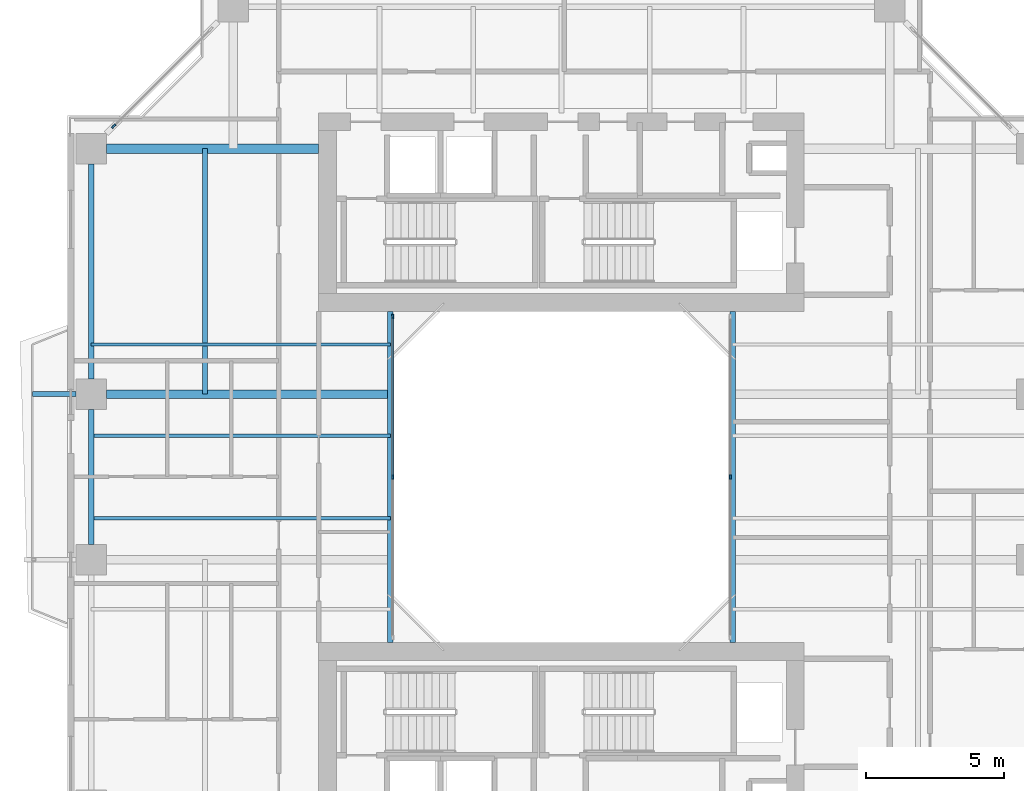
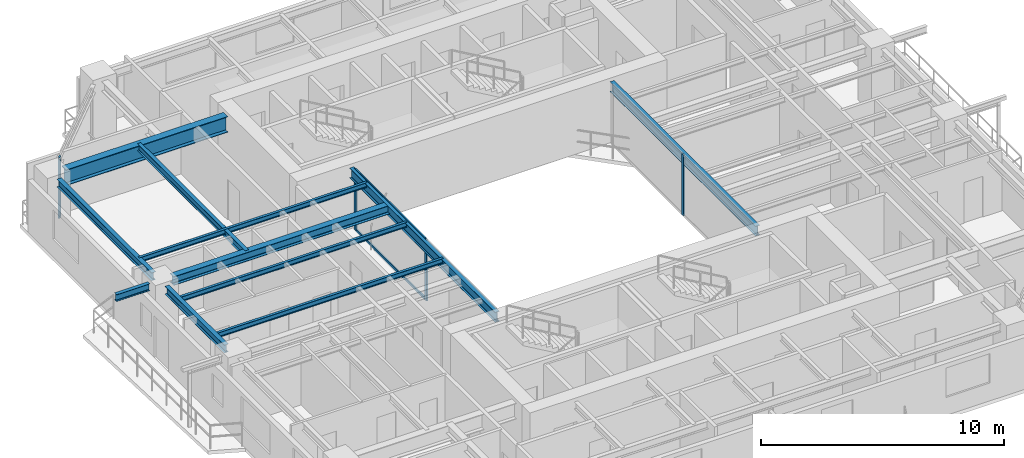
# One storey, part 5 of 24: 11 beams, 6 members, 3 elements without a shape of their own.
"""IFC4 building model written with IfcOpenShell, lengths in metres."""

import ifcopenshell
import ifcopenshell.guid

model = None  # the IFC model being written
_history = None  # IfcOwnerHistory: only IFC2X3 demands one
_inside = {}  # id of a spatial element -> (the spatial element, [elements in it])
_under = {}  # id of a project, library or spatial element -> (it, [spatial elements below it])
_declared = {}  # id of a project -> (the project, [libraries it declares])
_typed = {}  # id of a type object -> (the type object, [elements of that type])
_made_of = {}  # id of a material, layer set ... -> (it, [elements and type objects made of it])


def new_model(schema):
    """Start an empty IFC model of exactly this schema.

    Asked for "IFC4X3", IfcOpenShell would pick the latest addendum, in which some entities
    have other attributes; the version numbers below select the first issue.
    IFC2X3 requires an IfcOwnerHistory on every rooted entity: one is made here for all.
    """
    global model, _history
    if schema == "IFC4X3":
        model = ifcopenshell.file(schema_version=(4, 3, 0, 0))
    else:
        model = ifcopenshell.file(schema=schema)
    _inside.clear()
    _under.clear()
    _declared.clear()
    _typed.clear()
    _made_of.clear()
    _history = None
    if model.schema == "IFC2X3":
        org = make("IfcOrganization", Name="unknown")
        user = make(
            "IfcPersonAndOrganization",
            ThePerson=make("IfcPerson", FamilyName="unknown"),
            TheOrganization=org,
        )
        app = make(
            "IfcApplication",
            ApplicationDeveloper=org,
            Version="unknown",
            ApplicationFullName="unknown",
            ApplicationIdentifier="unknown",
        )
        _history = make(
            "IfcOwnerHistory",
            OwningUser=user,
            OwningApplication=app,
            ChangeAction="ADDED",
            CreationDate=0,
        )
    return model


def make(cls, **values):
    """One entity of the class cls with the attributes given. An attribute that is None is left unset."""
    return model.create_entity(
        cls, **{name: value for name, value in values.items() if value is not None}
    )


def rooted(cls, **values):
    """An entity with a GlobalId (a new one), such as an element, a storey or a relation."""
    return make(cls, GlobalId=ifcopenshell.guid.new(), OwnerHistory=_history, **values)


def si_unit(unit_type, name, prefix=None):
    """IfcSIUnit, for example si_unit("LENGTHUNIT", "METRE", prefix="MILLI")."""
    return make("IfcSIUnit", UnitType=unit_type, Prefix=prefix, Name=name)


def assignment(units):
    """IfcUnitAssignment: the units of a project."""
    return None if units is None else make("IfcUnitAssignment", Units=units)


def point(xyz):
    """IfcCartesianPoint."""
    return None if xyz is None else make("IfcCartesianPoint", Coordinates=xyz)


def direction(xyz):
    """IfcDirection."""
    return None if xyz is None else make("IfcDirection", DirectionRatios=xyz)


def frame(location, z_axis=None, x_axis=None):
    """IfcAxis2Placement3D, a coordinate frame: its origin and axes. An axis left out is left unset."""
    return make(
        "IfcAxis2Placement3D",
        Location=point(location),
        Axis=direction(z_axis),
        RefDirection=direction(x_axis),
    )


def frame_2d(location, x_axis=None):
    """IfcAxis2Placement2D, a coordinate frame in the plane: its origin and x axis."""
    return make(
        "IfcAxis2Placement2D", Location=point(location), RefDirection=direction(x_axis)
    )


def origin():
    """The frame at (0, 0, 0) with its axes left unset."""
    return frame((0.0, 0.0, 0.0))


def origin_2d():
    """The frame at (0, 0) in the plane with its x axis left unset."""
    return frame_2d((0.0, 0.0))


def place(relative_to, where):
    """IfcLocalPlacement: puts the frame where relative to a parent placement (None: the world)."""
    return make(
        "IfcLocalPlacement", PlacementRelTo=relative_to, RelativePlacement=where
    )


def context(
    kind, dimensions, precision=None, world=None, true_north=None, identifier=None
):
    """IfcGeometricRepresentationContext, for example the 3D "Model" context."""
    return make(
        "IfcGeometricRepresentationContext",
        ContextIdentifier=identifier,
        ContextType=kind,
        CoordinateSpaceDimension=dimensions,
        Precision=precision,
        WorldCoordinateSystem=world,
        TrueNorth=true_north,
    )


def subcontext(parent, identifier, kind, view, scale=None):
    """IfcGeometricRepresentationSubContext, for example "Body" below "Model"."""
    return make(
        "IfcGeometricRepresentationSubContext",
        ContextIdentifier=identifier,
        ContextType=kind,
        ParentContext=parent,
        TargetScale=scale,
        TargetView=view,
    )


def project(units=None, contexts=None):
    """IfcProject with its units and contexts."""
    return rooted(
        "IfcProject",
        Name="project",
        RepresentationContexts=contexts,
        UnitsInContext=assignment(units),
    )


def spatial(cls, under=None, at=None, **own):
    """A site, building, storey or space (cls), placed at a placement, below another one or the project."""
    s = rooted(cls, ObjectPlacement=at, **own)
    if under is not None:
        _under.setdefault(under.id(), (under, []))[1].append(s)
    return s


def profile(cls, at=None, kind="AREA", **sizes):
    """A parametric profile (cls). Its sizes go by their IFC names, for example OverallWidth=200.0."""
    return make(cls, ProfileType=kind, Position=at, **sizes)


def rectangle(**sizes):
    """IfcRectangleProfileDef."""
    return profile("IfcRectangleProfileDef", **sizes)


def i_section(**sizes):
    """IfcIShapeProfileDef."""
    return profile("IfcIShapeProfileDef", **sizes)


def extrude(swept, where, along, depth):
    """IfcExtrudedAreaSolid: the profile swept, set in the frame where, extruded along a direction by depth."""
    return make(
        "IfcExtrudedAreaSolid",
        SweptArea=swept,
        Position=where,
        ExtrudedDirection=direction(along),
        Depth=depth,
    )


def shape(context_of_items, identifier, shape_type, items):
    """IfcShapeRepresentation: the items that make up one representation, for example the "Body"."""
    return make(
        "IfcShapeRepresentation",
        ContextOfItems=context_of_items,
        RepresentationIdentifier=identifier,
        RepresentationType=shape_type,
        Items=items,
    )


def source(mapping_origin, context_of_items, identifier, shape_type, items):
    """IfcRepresentationMap: a shape defined once, which mapped items show again and again."""
    return make(
        "IfcRepresentationMap",
        MappingOrigin=mapping_origin,
        MappedRepresentation=shape(context_of_items, identifier, shape_type, items),
    )


def transform(
    local_origin,
    x_axis=None,
    y_axis=None,
    z_axis=None,
    scale=None,
    scale2=None,
    scale3=None,
    uniform=True,
):
    """IfcCartesianTransformationOperator3D, or its non-uniform kind. x_axis, y_axis, z_axis: its Axis1, 2, 3."""
    if uniform:
        return make(
            "IfcCartesianTransformationOperator3D",
            Axis1=direction(x_axis),
            Axis2=direction(y_axis),
            LocalOrigin=point(local_origin),
            Scale=scale,
            Axis3=direction(z_axis),
        )
    return make(
        "IfcCartesianTransformationOperator3DnonUniform",
        Axis1=direction(x_axis),
        Axis2=direction(y_axis),
        LocalOrigin=point(local_origin),
        Scale=scale,
        Axis3=direction(z_axis),
        Scale2=scale2,
        Scale3=scale3,
    )


def mapped(mapping_source, mapping_target):
    """IfcMappedItem: shows the shape of a source again, moved by a transform."""
    return make(
        "IfcMappedItem", MappingSource=mapping_source, MappingTarget=mapping_target
    )


def material(Name=None, Category=None):
    """IfcMaterial."""
    return make("IfcMaterial", Name=Name, Category=Category)


def layer(
    of_material, thickness, ventilated=None, Name=None, Category=None, Priority=None
):
    """IfcMaterialLayer: one layer of a wall or slab, of a material (None: an air gap)."""
    return make(
        "IfcMaterialLayer",
        Material=of_material,
        LayerThickness=thickness,
        IsVentilated=ventilated,
        Name=Name,
        Category=Category,
        Priority=Priority,
    )


def layer_set(layers, Name=None):
    """IfcMaterialLayerSet."""
    return make("IfcMaterialLayerSet", MaterialLayers=layers, LayerSetName=Name)


def material_profile(
    of_material, cross_section, Name=None, Category=None, Priority=None
):
    """IfcMaterialProfile: a cross section and its material."""
    return make(
        "IfcMaterialProfile",
        Name=Name,
        Material=of_material,
        Profile=cross_section,
        Priority=Priority,
        Category=Category,
    )


def profile_set(profiles, Name=None, composite=None):
    """IfcMaterialProfileSet."""
    return make(
        "IfcMaterialProfileSet",
        Name=Name,
        MaterialProfiles=profiles,
        CompositeProfile=composite,
    )


def made_of(thing, what):
    """Note that an element or type object is made of a material, layer set ...; save() writes the relation."""
    if what is not None:
        _made_of.setdefault(what.id(), (what, []))[1].append(thing)
    return thing


def type_object(cls, material=None, **own):
    """A type object (cls), such as IfcWallType, which elements share."""
    return made_of(rooted(cls, **own), material)


def element(
    cls,
    number,
    at=None,
    inside=None,
    cuts=None,
    type_object=None,
    material=None,
    context=None,
    identifier="Body",
    shape_type=None,
    held_by="IfcProductDefinitionShape",
    body=None,
    shapes=None,
    **own,
):
    """One element of the class cls, such as IfcWall. Its Tag is "e" and its number.

    at: its placement. inside: the storey or other place that contains it. cuts: it is an
    opening in that element (IfcRelVoidsElement). A single representation is given by context,
    identifier, shape_type and body (its items); several are given by shapes. held_by: the class
    of the entity that holds the representations. save() writes the other relations.
    """
    e = rooted(cls, Tag="e%d" % number, ObjectPlacement=at, **own)
    if body is not None:
        shapes = [shape(context, identifier, shape_type, body)]
    if shapes is not None:
        e.Representation = make(held_by, Representations=shapes)
    if inside is not None:
        _inside.setdefault(inside.id(), (inside, []))[1].append(e)
    if cuts is not None:
        rooted(
            "IfcRelVoidsElement", RelatingBuildingElement=cuts, RelatedOpeningElement=e
        )
    if type_object is not None:
        _typed.setdefault(type_object.id(), (type_object, []))[1].append(e)
    return made_of(e, material)


def aggregate(whole, parts):
    """IfcRelAggregates: a whole, such as a stair, and the parts it consists of."""
    return rooted("IfcRelAggregates", RelatingObject=whole, RelatedObjects=parts)


def save(model, path):
    """Write the relations noted so far, then the file.

    IfcRelAggregates (storeys below a building ...), IfcRelContainedInSpatialStructure (elements
    in a storey), IfcRelDefinesByType, IfcRelAssociatesMaterial and IfcRelDeclares: one each for
    every whole, place, type object, material and project.
    """
    for whole, parts in _under.values():
        aggregate(whole, parts)
    for where, things in _inside.values():
        rooted(
            "IfcRelContainedInSpatialStructure",
            RelatedElements=things,
            RelatingStructure=where,
        )
    for kind, things in _typed.values():
        rooted("IfcRelDefinesByType", RelatedObjects=things, RelatingType=kind)
    for what, things in _made_of.values():
        rooted("IfcRelAssociatesMaterial", RelatedObjects=things, RelatingMaterial=what)
    for by, libraries in _declared.values():
        rooted("IfcRelDeclares", RelatingContext=by, RelatedDefinitions=libraries)
    model.write(path)


model = new_model("IFC4")

# Units and contexts
model_context = context("Model", 3, precision=1e-05, world=origin(), true_north=direction((0.0, 1.0)))
body_context = subcontext(model_context, "Body", "Model", "MODEL_VIEW")
ifc_project = project(units=[si_unit("LENGTHUNIT", "METRE"), si_unit("AREAUNIT", "SQUARE_METRE"), si_unit("VOLUMEUNIT", "CUBIC_METRE"), si_unit("PLANEANGLEUNIT", "RADIAN"), si_unit("MASSUNIT", "GRAM", prefix="KILO"), si_unit("THERMODYNAMICTEMPERATUREUNIT", "KELVIN"), si_unit("POWERUNIT", "WATT")], contexts=[model_context])

# Site, building, storey
site_placement = place(None, origin())
site = spatial("IfcSite", under=ifc_project, at=site_placement, CompositionType="ELEMENT")
building_placement = place(site_placement, origin())
building = spatial("IfcBuilding", under=site, at=building_placement, Name="Qiaomeng Ring Towers", CompositionType="ELEMENT")
storey_placement = place(building_placement, frame((0.0, 0.0, 106.75)))
storey = spatial("IfcBuildingStorey", under=building, at=storey_placement, Name="L30", CompositionType="ELEMENT", Elevation=106.75)

# Beams
ifc_material_1 = material(Name="Steel Q355B", Category="steel")
ifc_material_profile_1 = material_profile(ifc_material_1, i_section(OverallWidth=0.199951171875, OverallDepth=0.5, WebThickness=0.010009765625, FlangeThickness=0.01611328125, FilletRadius=0.02001953125, at=origin_2d()), Name="HN 500x200x10x16")
ifc_profile_set_1 = profile_set([ifc_material_profile_1], Name="Steel Q355B")
beam_type_1 = type_object("IfcBeamType", Name="STR-BM-HN500", PredefinedType="BEAM", material=ifc_profile_set_1)
shared_shape_1 = source(origin(), body_context, "Body", "SweptSolid", [
    extrude(i_section(OverallWidth=0.199951171875, OverallDepth=0.5, WebThickness=0.010009765625, FlangeThickness=0.01611328125, FilletRadius=0.02001953125, at=origin_2d()), origin(), (0.0, 0.0, 1.0), 12.0),
])
for number, where, z_axis, x_axis, name in (
    (1, (12.800048828125, 17.0, 2.820068359375), (0.0, 1.0, 0.0), (-1.0, 0.0, 0.0), "L30 beam STR-BM-L30-WELL-W"),
    (2, (25.199951171875, 17.0, 2.820068359375), (0.0, 1.0, 0.0), (-1.0, 0.0, 0.0), "L30 beam STR-BM-L30-WELL-E"),
):
    element("IfcBeam", number, at=place(storey_placement, frame(where, z_axis=z_axis, x_axis=x_axis)), inside=storey, type_object=beam_type_1, Name=name, PredefinedType="BEAM", context=body_context, shape_type="MappedRepresentation", body=[
        mapped(shared_shape_1, transform((0.0, 0.0, 0.0), x_axis=(1.0, 0.0, 0.0), y_axis=(0.0, 1.0, 0.0), z_axis=(0.0, 0.0, 1.0), scale=1.0)),
    ])
ifc_material_profile_2 = material_profile(ifc_material_1, i_section(OverallWidth=0.199951171875, OverallDepth=0.39990234375, WebThickness=0.008056640625, FlangeThickness=0.012939453125, FilletRadius=0.01611328125, at=origin_2d()), Name="HN 400x200x8x13")
ifc_profile_set_2 = profile_set([ifc_material_profile_2], Name="Steel Q355B")
beam_type_2 = type_object("IfcBeamType", Name="STR-BM-HN400", PredefinedType="SPANDREL", material=ifc_profile_set_2)
shared_shape_2 = source(origin(), body_context, "Body", "SweptSolid", [
    extrude(i_section(OverallWidth=0.199951171875, OverallDepth=0.39990234375, WebThickness=0.008056640625, FlangeThickness=0.012939453125, FilletRadius=0.01611328125, at=origin_2d()), origin(), (0.0, 0.0, 1.0), 7.802001953125),
])
beam_1_placement = place(storey_placement, frame((1.949951171875, 34.35107421875, 2.8701171875), z_axis=(0.0, -1.0, 0.0), x_axis=(1.0, 0.0, 0.0)))
element("IfcBeam", 3, at=beam_1_placement, inside=storey, type_object=beam_type_2, Name="L30 beam STR-SP-L30-T1-W4-W3", PredefinedType="SPANDREL", context=body_context, shape_type="MappedRepresentation", body=[
    mapped(shared_shape_2, transform((0.0, 0.0, 0.0), x_axis=(1.0, 0.0, 0.0), y_axis=(0.0, 1.0, 0.0), z_axis=(0.0, 0.0, 1.0), scale=1.0)),
])
shared_shape_3 = source(origin(), body_context, "Body", "SweptSolid", [
    extrude(i_section(OverallWidth=0.199951171875, OverallDepth=0.39990234375, WebThickness=0.008056640625, FlangeThickness=0.012939453125, FilletRadius=0.01611328125, at=origin_2d()), origin(), (0.0, 0.0, 1.0), 4.90185546875),
])
beam_2_placement = place(storey_placement, frame((1.949951171875, 25.450927734375, 2.8701171875), z_axis=(0.0, -1.0, 0.0), x_axis=(1.0, 0.0, 0.0)))
element("IfcBeam", 4, at=beam_2_placement, inside=storey, type_object=beam_type_2, Name="L30 beam STR-SP-L30-T1-W3-W2", PredefinedType="SPANDREL", context=body_context, shape_type="MappedRepresentation", body=[
    mapped(shared_shape_3, transform((0.0, 0.0, 0.0), x_axis=(1.0, 0.0, 0.0), y_axis=(0.0, 1.0, 0.0), z_axis=(0.0, 0.0, 1.0), scale=1.0)),
])
ifc_material_2 = material(Name="Steel Q390GJC", Category="steel")
ifc_material_profile_3 = material_profile(ifc_material_2, i_section(OverallWidth=0.35009765625, OverallDepth=0.800048828125, WebThickness=0.01611328125, FlangeThickness=0.028076171875, at=origin_2d()), Name="WH 800x350x16x28")
ifc_profile_set_3 = profile_set([ifc_material_profile_3], Name="Steel Q390GJC")
beam_type_3 = type_object("IfcBeamType", Name="STR-BM-WH800", PredefinedType="BEAM", material=ifc_profile_set_3)
shared_shape_4 = source(origin(), body_context, "Body", "SweptSolid", [
    extrude(i_section(OverallWidth=0.35009765625, OverallDepth=0.800048828125, WebThickness=0.01611328125, FlangeThickness=0.028076171875, at=origin_2d()), origin(), (0.0, 0.0, 1.0), 7.700927734375),
])
beam_3_placement = place(storey_placement, frame((2.4990234375, 34.89990234375, 2.669921875), z_axis=(1.0, 0.0, 0.0), x_axis=(0.0, 1.0, 0.0)))
element("IfcBeam", 5, at=beam_3_placement, inside=storey, type_object=beam_type_3, Name="L30 beam STR-BM-L30-T1-RAD-W4", PredefinedType="BEAM", context=body_context, shape_type="MappedRepresentation", body=[
    mapped(shared_shape_4, transform((0.0, 0.0, 0.0), x_axis=(1.0, 0.0, 0.0), y_axis=(0.0, 1.0, 0.0), z_axis=(0.0, 0.0, 1.0), scale=1.0)),
])
ifc_material_profile_4 = material_profile(ifc_material_1, i_section(OverallWidth=0.300048828125, OverallDepth=0.43994140625, WebThickness=0.010986328125, FlangeThickness=0.01806640625, FilletRadius=0.02392578125, at=origin_2d()), Name="HM 440x300x11x18")
ifc_profile_set_4 = profile_set([ifc_material_profile_4], Name="Steel Q355B")
beam_type_4 = type_object("IfcBeamType", Name="STR-BM-HM440", PredefinedType="BEAM", material=ifc_profile_set_4)
shared_shape_5 = source(origin(), body_context, "Body", "SweptSolid", [
    extrude(i_section(OverallWidth=0.300048828125, OverallDepth=0.43994140625, WebThickness=0.010986328125, FlangeThickness=0.01806640625, FilletRadius=0.02392578125, at=origin_2d()), origin(), (0.0, 0.0, 1.0), 10.301025390625),
])
beam_4_placement = place(storey_placement, frame((2.4990234375, 26.0, 2.85009765625), z_axis=(1.0, 0.0, 0.0), x_axis=(0.0, 1.0, 0.0)))
element("IfcBeam", 6, at=beam_4_placement, inside=storey, type_object=beam_type_4, Name="L30 beam STR-BM-L30-T1-RAD-W3", PredefinedType="BEAM", context=body_context, shape_type="MappedRepresentation", body=[
    mapped(shared_shape_5, transform((0.0, 0.0, 0.0), x_axis=(1.0, 0.0, 0.0), y_axis=(0.0, 1.0, 0.0), z_axis=(0.0, 0.0, 1.0), scale=1.0)),
])
ifc_material_profile_5 = material_profile(ifc_material_1, i_section(OverallWidth=0.175048828125, OverallDepth=0.35009765625, WebThickness=0.007080078125, FlangeThickness=0.010986328125, FilletRadius=0.013916015625, at=origin_2d()), Name="HN 350x175x7x11")
ifc_profile_set_5 = profile_set([ifc_material_profile_5], Name="Steel Q355B")
beam_type_5 = type_object("IfcBeamType", Name="STR-BM-HN350", PredefinedType="JOIST", material=ifc_profile_set_5)
shared_shape_6 = source(origin(), body_context, "Body", "SweptSolid", [
    extrude(i_section(OverallWidth=0.175048828125, OverallDepth=0.35009765625, WebThickness=0.007080078125, FlangeThickness=0.010986328125, FilletRadius=0.013916015625, at=origin_2d()), origin(), (0.0, 0.0, 1.0), 1.580810546875),
])
beam_5_placement = place(storey_placement, frame((-0.179931640625, 26.0, 2.89501953125), z_axis=(1.0, 0.0, 0.0), x_axis=(0.0, 1.0, 0.0)))
element("IfcBeam", 7, at=beam_5_placement, inside=storey, type_object=beam_type_5, Name="L30 beam STR-BALBM-L30-W3", PredefinedType="JOIST", context=body_context, shape_type="MappedRepresentation", body=[
    mapped(shared_shape_6, transform((0.0, 0.0, 0.0), x_axis=(1.0, 0.0, 0.0), y_axis=(0.0, 1.0, 0.0), z_axis=(0.0, 0.0, 1.0), scale=1.0)),
])
ifc_material_profile_6 = material_profile(ifc_material_1, i_section(OverallWidth=0.125, OverallDepth=0.25, WebThickness=0.006103515625, FlangeThickness=0.009033203125, FilletRadius=0.011962890625, at=origin_2d()), Name="HN 250x125x6x9")
ifc_profile_set_6 = profile_set([ifc_material_profile_6], Name="Steel Q355B")
beam_type_6 = type_object("IfcBeamType", Name="STR-BM-HN250", PredefinedType="JOIST", material=ifc_profile_set_6)
shared_shape_7 = source(origin(), body_context, "Body", "SweptSolid", [
    extrude(i_section(OverallWidth=0.125, OverallDepth=0.25, WebThickness=0.006103515625, FlangeThickness=0.009033203125, FilletRadius=0.011962890625, at=origin_2d()), origin(), (0.0, 0.0, 1.0), 10.85009765625),
])
for number, where, z_axis, x_axis, name in (
    (8, (1.949951171875, 21.5, 2.945068359375), (1.0, 0.0, 0.0), (0.0, 1.0, 0.0), "L30 beam STR-JST-L30-T1W-2"),
    (9, (1.949951171875, 24.5, 2.945068359375), (1.0, 0.0, 0.0), (0.0, 1.0, 0.0), "L30 beam STR-JST-L30-T1W-3"),
    (10, (1.949951171875, 27.800048828125, 2.945068359375), (1.0, 0.0, 0.0), (0.0, 1.0, 0.0), "L30 beam STR-JST-L30-T1W-4"),
):
    element("IfcBeam", number, at=place(storey_placement, frame(where, z_axis=z_axis, x_axis=x_axis)), inside=storey, type_object=beam_type_6, Name=name, PredefinedType="JOIST", context=body_context, shape_type="MappedRepresentation", body=[
        mapped(shared_shape_7, transform((0.0, 0.0, 0.0), x_axis=(1.0, 0.0, 0.0), y_axis=(0.0, 1.0, 0.0), z_axis=(0.0, 0.0, 1.0), scale=1.0)),
    ])
shared_shape_8 = source(origin(), body_context, "Body", "SweptSolid", [
    extrude(i_section(OverallWidth=0.175048828125, OverallDepth=0.35009765625, WebThickness=0.007080078125, FlangeThickness=0.010986328125, FilletRadius=0.013916015625, at=origin_2d()), origin(), (0.0, 0.0, 1.0), 8.89990234375),
])
beam_6_placement = place(storey_placement, frame((6.074951171875, 26.0, 2.89501953125), z_axis=(0.0, 1.0, 0.0), x_axis=(-1.0, 0.0, 0.0)))
element("IfcBeam", 11, at=beam_6_placement, inside=storey, type_object=beam_type_5, Name="L30 beam STR-JST-L30-T1C-WN", PredefinedType="JOIST", context=body_context, shape_type="MappedRepresentation", body=[
    mapped(shared_shape_8, transform((0.0, 0.0, 0.0), x_axis=(1.0, 0.0, 0.0), y_axis=(0.0, 1.0, 0.0), z_axis=(0.0, 0.0, 1.0), scale=1.0)),
])

# Curtain wall, members
ifc_material_3 = material(Name="Fluorocarbon dark-grey aluminium", Category="aluminium")
ifc_layer_1 = layer(ifc_material_3, 0.139892578125, Name="Fluorocarbon dark-grey aluminium")
ifc_layer_set_1 = layer_set([ifc_layer_1], Name="Fluorocarbon dark-grey aluminium")
curtain_wall_type_1 = type_object("IfcCurtainWallType", Name="ARC-CW-4", PredefinedType="NOTDEFINED", material=ifc_layer_set_1)
curtain_wall_1_placement = place(storey_placement, origin())
curtain_wall_1 = element("IfcCurtainWall", 12, at=curtain_wall_1_placement, inside=storey, type_object=curtain_wall_type_1, Name="L30 Curtain Wall CW4", PredefinedType="NOTDEFINED")
ifc_material_profile_7 = material_profile(ifc_material_3, rectangle(XDim=0.06494140625, YDim=0.159912109375, at=origin_2d()), Name="ALU MULL 65x160")
ifc_profile_set_7 = profile_set([ifc_material_profile_7], Name="Fluorocarbon dark-grey aluminium")
member_type_1 = type_object("IfcMemberType", Name="ARC-CWM-140", PredefinedType="MULLION", material=ifc_profile_set_7)
shared_shape_9 = source(origin(), body_context, "Body", "SweptSolid", [
    extrude(rectangle(XDim=0.06494140625, YDim=0.159912109375, at=origin_2d()), origin(), (0.0, 0.0, 1.0), 3.070068359375),
])
member_1_placement = place(storey_placement, frame((12.8798828125, 23.0, 0.0), z_axis=(0.0, 0.0, 1.0), x_axis=(-1.0, 0.0, 0.0)))
member_1 = element("IfcMember", 13, at=member_1_placement, type_object=member_type_1, Name="CW4 mullion 2", PredefinedType="MULLION", context=body_context, shape_type="MappedRepresentation", body=[
    mapped(shared_shape_9, transform((0.0, 0.0, 0.0), x_axis=(1.0, 0.0, 0.0), y_axis=(0.0, 1.0, 0.0), z_axis=(0.0, 0.0, 1.0), scale=1.0)),
])
member_2_placement = place(storey_placement, frame((12.8798828125, 28.8173828125, 0.0), z_axis=(0.0, 0.0, 1.0), x_axis=(-1.0, 0.0, 0.0)))
member_2 = element("IfcMember", 14, at=member_2_placement, type_object=member_type_1, Name="CW4 mullion 3", PredefinedType="MULLION", context=body_context, shape_type="MappedRepresentation", body=[
    mapped(shared_shape_9, transform((0.0, 0.0, 0.0), x_axis=(1.0, 0.0, 0.0), y_axis=(0.0, 1.0, 0.0), z_axis=(0.0, 0.0, 1.0), scale=1.0)),
])

# Curtain wall, member
curtain_wall_2_placement = place(storey_placement, origin())
curtain_wall_2 = element("IfcCurtainWall", 15, at=curtain_wall_2_placement, inside=storey, type_object=curtain_wall_type_1, Name="L30 Curtain Wall CW4", PredefinedType="NOTDEFINED")
member_3_placement = place(storey_placement, frame((25.1201171875, 23.0, 0.0), z_axis=(0.0, 0.0, 1.0), x_axis=(-1.0, 0.0, 0.0)))
member_3 = element("IfcMember", 16, at=member_3_placement, type_object=member_type_1, Name="CW4 mullion 2", PredefinedType="MULLION", context=body_context, shape_type="MappedRepresentation", body=[
    mapped(shared_shape_9, transform((0.0, 0.0, 0.0), x_axis=(1.0, 0.0, 0.0), y_axis=(0.0, 1.0, 0.0), z_axis=(0.0, 0.0, 1.0), scale=1.0)),
])
aggregate(curtain_wall_2, [member_3])

# Member
ifc_material_profile_8 = material_profile(ifc_material_3, rectangle(XDim=0.06494140625, YDim=0.1298828125, at=origin_2d()), Name="ALU TRAN 65x130")
ifc_profile_set_8 = profile_set([ifc_material_profile_8], Name="Fluorocarbon dark-grey aluminium")
member_type_2 = type_object("IfcMemberType", Name="ARC-CWT-120", PredefinedType="USERDEFINED", material=ifc_profile_set_8)
shared_shape_10 = source(origin(), body_context, "Body", "SweptSolid", [
    extrude(rectangle(XDim=0.06494140625, YDim=0.1298828125, at=origin_2d()), origin(), (0.0, 0.0, 1.0), 5.75244140625),
])
member_4_placement = place(storey_placement, frame((12.8798828125, 23.032470703125, 0.032470703125), z_axis=(0.0, 1.0, 0.0), x_axis=(-1.0, 0.0, 0.0)))
member_4 = element("IfcMember", 17, at=member_4_placement, type_object=member_type_2, Name="CW4 transom 2.1", ObjectType="TRANSOM", PredefinedType="USERDEFINED", context=body_context, shape_type="MappedRepresentation", body=[
    mapped(shared_shape_10, transform((0.0, 0.0, 0.0), x_axis=(1.0, 0.0, 0.0), y_axis=(0.0, 1.0, 0.0), z_axis=(0.0, 0.0, 1.0), scale=1.0)),
])

member_5_placement = place(storey_placement, frame((12.8798828125, 23.032470703125, 3.03759765625), z_axis=(0.0, 1.0, 0.0), x_axis=(-1.0, 0.0, 0.0)))
member_5 = element("IfcMember", 18, at=member_5_placement, type_object=member_type_2, Name="CW4 transom 2.2", ObjectType="TRANSOM", PredefinedType="USERDEFINED", context=body_context, shape_type="MappedRepresentation", body=[
    mapped(shared_shape_10, transform((0.0, 0.0, 0.0), x_axis=(1.0, 0.0, 0.0), y_axis=(0.0, 1.0, 0.0), z_axis=(0.0, 0.0, 1.0), scale=1.0)),
])

aggregate(curtain_wall_1, [member_1, member_2, member_4, member_5])

# Curtain wall, member
ifc_layer_2 = layer(ifc_material_3, 0.14990234375, Name="Fluorocarbon dark-grey aluminium")
ifc_layer_set_2 = layer_set([ifc_layer_2], Name="Fluorocarbon dark-grey aluminium")
curtain_wall_type_2 = type_object("IfcCurtainWallType", Name="ARC-CW-3", PredefinedType="NOTDEFINED", material=ifc_layer_set_2)
curtain_wall_3_placement = place(storey_placement, origin())
curtain_wall_3 = element("IfcCurtainWall", 19, at=curtain_wall_3_placement, inside=storey, type_object=curtain_wall_type_2, Name="L30 Curtain Wall CW3", PredefinedType="NOTDEFINED")
ifc_material_profile_9 = material_profile(ifc_material_3, rectangle(XDim=0.070068359375, YDim=0.179931640625, at=origin_2d()), Name="ALU MULL 70x180")
ifc_profile_set_9 = profile_set([ifc_material_profile_9], Name="Fluorocarbon dark-grey aluminium")
member_type_3 = type_object("IfcMemberType", Name="ARC-CWM-160", PredefinedType="MULLION", material=ifc_profile_set_9)
shared_shape_11 = source(origin(), body_context, "Body", "SweptSolid", [
    extrude(rectangle(XDim=0.070068359375, YDim=0.179931640625, at=origin_2d()), origin(), (0.0, 0.0, 1.0), 3.070068359375),
])
member_6_placement = place(storey_placement, frame((2.7646484375, 35.71484375, 0.0), z_axis=(0.0, 0.0, 1.0), x_axis=(0.707106781187, -0.707106781187, 0.0)))
member_6 = element("IfcMember", 20, at=member_6_placement, type_object=member_type_3, Name="CW3 mullion 2", PredefinedType="MULLION", context=body_context, shape_type="MappedRepresentation", body=[
    mapped(shared_shape_11, transform((0.0, 0.0, 0.0), x_axis=(1.0, 0.0, 0.0), y_axis=(0.0, 1.0, 0.0), z_axis=(0.0, 0.0, 1.0), scale=1.0)),
])
aggregate(curtain_wall_3, [member_6])

save(model, "model.ifc")
